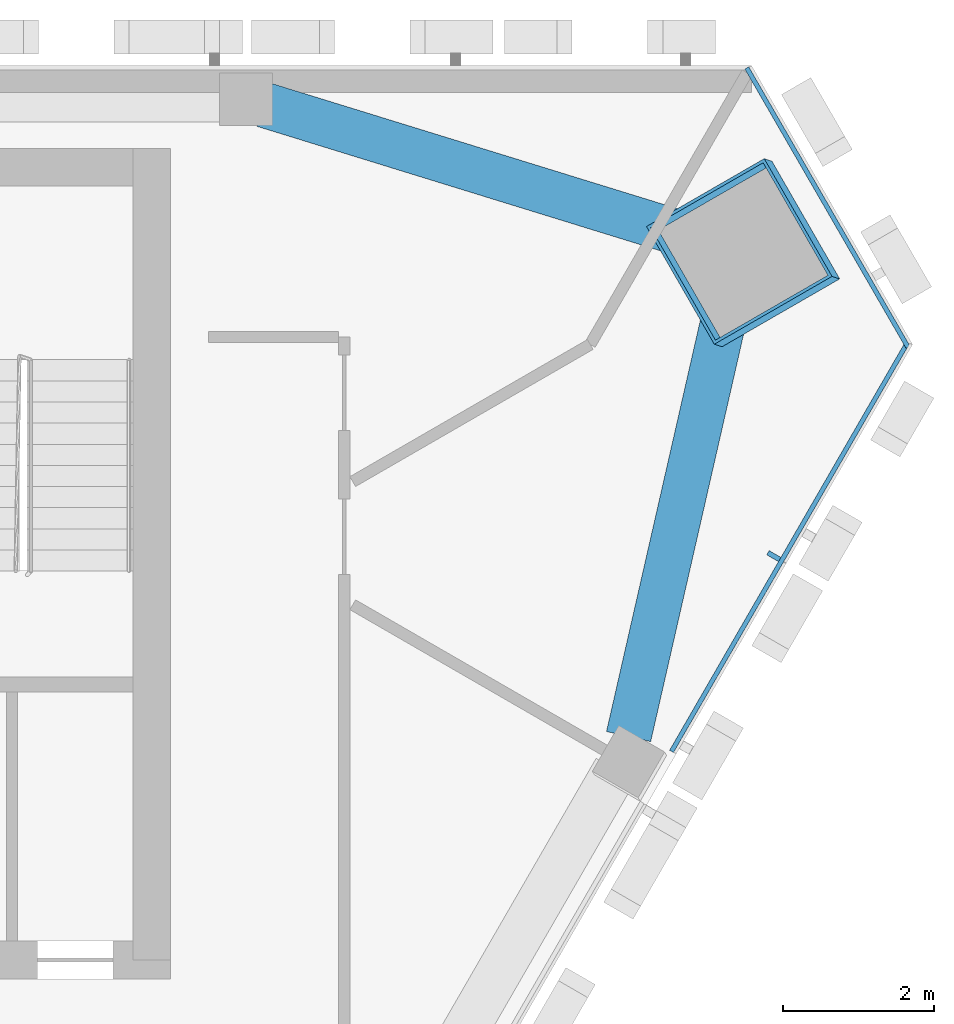
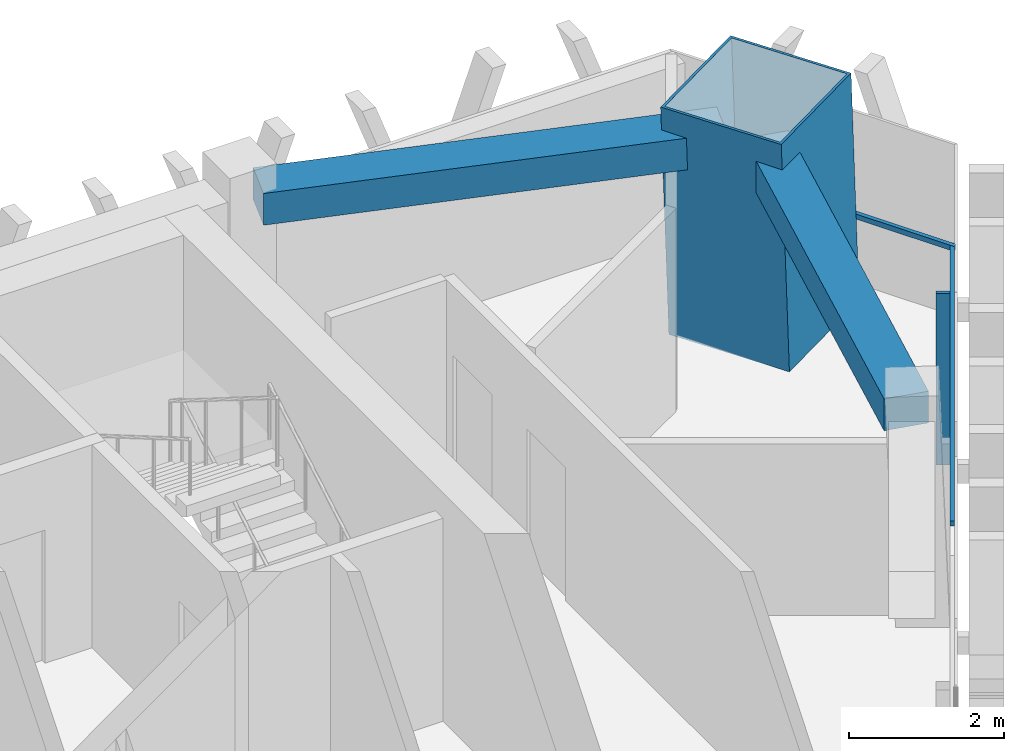
# One storey, part 6 of 14: 4 members, 2 beams, 2 elements without a shape of their own.
"""IFC4 building model written with IfcOpenShell, lengths in metres."""

from ifc_helpers import new_model, si_unit, direction, frame, origin, origin_2d, place, context, subcontext, project, spatial, rectangle, hollow_rectangle, extrude, material, layer, layer_set, material_profile, profile_set, type_object, element, aggregate, save


model = new_model("IFC4")

# Units and contexts
model_context = context("Model", 3, precision=1e-05, world=origin(), true_north=direction((0.0, 1.0)))
body_context = subcontext(model_context, "Body", "Model", "MODEL_VIEW")
ifc_project = project(units=[si_unit("LENGTHUNIT", "METRE"), si_unit("AREAUNIT", "SQUARE_METRE"), si_unit("VOLUMEUNIT", "CUBIC_METRE"), si_unit("PLANEANGLEUNIT", "RADIAN"), si_unit("MASSUNIT", "GRAM", prefix="KILO")], contexts=[model_context])

# Site, building, storey
site_placement = place(None, origin())
site = spatial("IfcSite", under=ifc_project, at=site_placement, CompositionType="ELEMENT")
building_placement = place(site_placement, origin())
building = spatial("IfcBuilding", under=site, at=building_placement, Name="Altiplano Prism Tower", CompositionType="ELEMENT")
storey_placement = place(building_placement, frame((0.0, 0.0, 295.0)))
storey = spatial("IfcBuildingStorey", under=building, at=storey_placement, Name="L76", CompositionType="ELEMENT", Elevation=295.0)

# Curtain wall, members
ifc_material_1 = material(Name="Aluminium and glass", Category="aluminium")
ifc_layer = layer(ifc_material_1, 0.280029296875)
ifc_layer_set = layer_set([ifc_layer], Name="Aluminium and glass")
curtain_wall_type = type_object("IfcCurtainWallType", Name="CW1 typical co-living unitised curtain wall", PredefinedType="NOTDEFINED", material=ifc_layer_set)
curtain_wall_1_placement = place(storey_placement, origin())
curtain_wall_1 = element("IfcCurtainWall", 1, at=curtain_wall_1_placement, inside=storey, type_object=curtain_wall_type, Name="CW1 curtain wall south-east face L76", PredefinedType="NOTDEFINED")
ifc_material_2 = material(Name="Aluminium", Category="aluminium")
ifc_material_profile_1 = material_profile(ifc_material_2, rectangle(XDim=0.179931640625, YDim=0.06494140625, at=origin_2d()), Name="CW1 mullion 65 x 180")
ifc_profile_set_1 = profile_set([ifc_material_profile_1], Name="Aluminium")
member_type_1 = type_object("IfcMemberType", Name="CW1 mullion 65 x 180", PredefinedType="MULLION", material=ifc_profile_set_1)
member_1_placement = place(storey_placement, frame((105.490478515625, 98.498779296875, 0.0), z_axis=(0.0, 0.0, 1.0), x_axis=(-0.866025409195, 0.499999990629, 0.0)))
member_1 = element("IfcMember", 2, at=member_1_placement, type_object=member_type_1, Name="CW1 mullion", PredefinedType="MULLION", context=body_context, shape_type="SweptSolid", body=[
    extrude(rectangle(XDim=0.179931640625, YDim=0.06494140625, at=origin_2d()), origin(), (0.0, 0.0, 1.0), 2.699951171875),
])
ifc_material_profile_2 = material_profile(ifc_material_2, rectangle(XDim=0.06005859375, YDim=0.080078125, at=origin_2d()), Name="CW1 transom 80 x 60")
ifc_profile_set_2 = profile_set([ifc_material_profile_2], Name="Aluminium")
member_type_2 = type_object("IfcMemberType", Name="CW1 transom 80 x 60", PredefinedType="USERDEFINED", material=ifc_profile_set_2)
member_2_placement = place(storey_placement, frame((104.135986328125, 95.912353515625, 1.10009765625), z_axis=(0.499978865881, 0.86603760523, 0.0), x_axis=(-0.86603760523, 0.499978865881, 0.0)))
member_2 = element("IfcMember", 3, at=member_2_placement, type_object=member_type_2, Name="CW1 transom", ObjectType="TRANSOM", PredefinedType="USERDEFINED", context=body_context, shape_type="SweptSolid", body=[
    extrude(rectangle(XDim=0.06005859375, YDim=0.080078125, at=origin_2d()), origin(), (0.0, 0.0, 1.0), 6.263916015625),
])
aggregate(curtain_wall_1, [member_1, member_2])

# Curtain wall, member
curtain_wall_2_placement = place(storey_placement, origin())
curtain_wall_2 = element("IfcCurtainWall", 4, at=curtain_wall_2_placement, inside=storey, type_object=curtain_wall_type, Name="CW1 curtain wall north-east chamfer L76", PredefinedType="NOTDEFINED")
member_3_placement = place(storey_placement, frame((107.267822265625, 101.26708984375, 1.10009765625), z_axis=(-0.499994660107, 0.866028486751, 0.0), x_axis=(-0.866028486751, -0.499994660107, 0.0)))
member_3 = element("IfcMember", 5, at=member_3_placement, type_object=member_type_2, Name="CW1 transom", ObjectType="TRANSOM", PredefinedType="USERDEFINED", context=body_context, shape_type="SweptSolid", body=[
    extrude(rectangle(XDim=0.06005859375, YDim=0.080078125, at=origin_2d()), origin(), (0.0, 0.0, 1.0), 4.27001953125),
])
aggregate(curtain_wall_2, [member_3])

# Beams
ifc_material_3 = material(Name="Concrete C60/75", Category="concrete")
ifc_material_profile_3 = material_profile(ifc_material_3, rectangle(XDim=0.60009765625, YDim=0.5, at=origin_2d()), Name="Edge beam 600x500")
ifc_profile_set_3 = profile_set([ifc_material_profile_3], Name="Concrete C60/75")
beam_type = type_object("IfcBeamType", Name="Edge beam 600x500", PredefinedType="SPANDREL", material=ifc_profile_set_3)
for number, where, z_axis, x_axis, name in (
    (6, (103.56689453125, 96.10888671875, 2.949951171875), (0.222445865575, 0.974945043009, 0.0), (-0.974945043009, 0.222445865575, 0.0), "Edge beam P24-M2 L77"),
    (7, (104.60302734375, 102.6669921875, 2.949951171875), (-0.955556087138, 0.294809369482, 0.0), (-0.294809369482, -0.955556087138, 0.0), "Edge beam M2-P01 L77"),
):
    element("IfcBeam", number, at=place(storey_placement, frame(where, z_axis=z_axis, x_axis=x_axis)), inside=storey, type_object=beam_type, Name=name, PredefinedType="SPANDREL", context=body_context, shape_type="SweptSolid", body=[
        extrude(rectangle(XDim=0.60009765625, YDim=0.5, at=origin_2d()), origin(), (0.0, 0.0, 1.0), 6.140625),
    ])

# Member
ifc_material_4 = material(Name="Steel S460", Category="steel")
ifc_material_profile_4 = material_profile(ifc_material_4, hollow_rectangle(XDim=1.800048828125, YDim=1.800048828125, WallThickness=0.0400390625, at=origin_2d()), Name="Mega column tube 1800")
ifc_profile_set_4 = profile_set([ifc_material_profile_4], Name="Steel S460")
member_type_3 = type_object("IfcMemberType", Name="Mega column tube 1800", PredefinedType="POST", material=ifc_profile_set_4)
member_4_placement = place(storey_placement, frame((105.13525390625, 102.5009765625, 0.0), z_axis=(-0.028401796786, 0.009286506348, 0.999553449666), x_axis=(0.49888889343, -0.8663809353, 0.02222491757)))
element("IfcMember", 8, at=member_4_placement, inside=storey, type_object=member_type_3, Name="Mega column tube M2 L76", PredefinedType="POST", context=body_context, shape_type="SweptSolid", body=[
    extrude(hollow_rectangle(XDim=1.800048828125, YDim=1.800048828125, WallThickness=0.0400390625, at=origin_2d()), origin(), (0.0, 0.0, 1.0), 3.601806640625),
])

save(model, "model.ifc")
